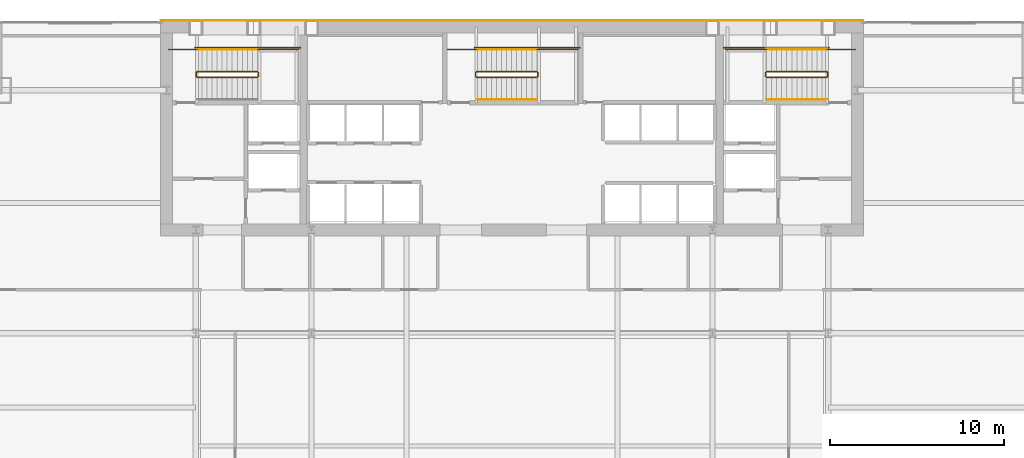
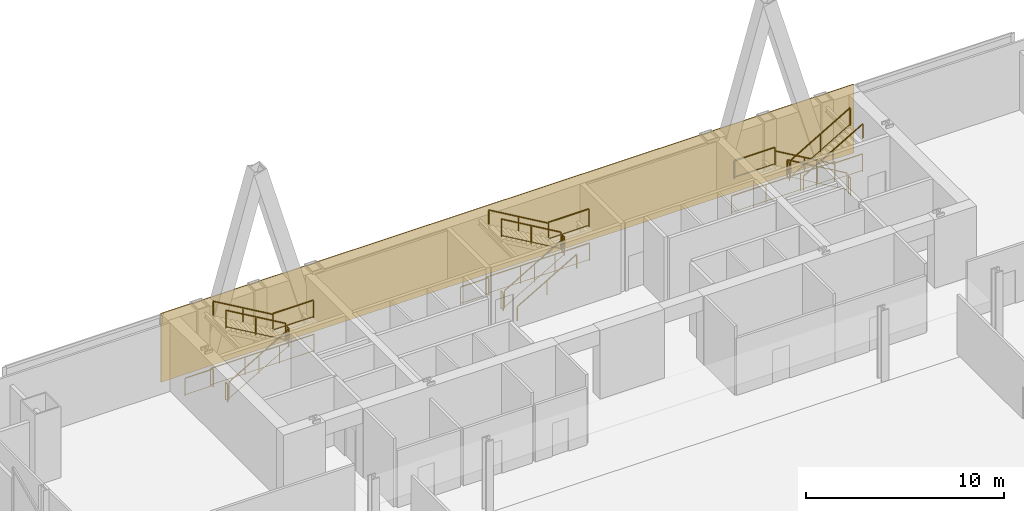
# One storey, part 32 of 32: 26 railings, 1 covering.
"""IFC4 building model written with IfcOpenShell, lengths in metres."""

from ifc_helpers import new_model, si_unit, direction, frame, origin, origin_2d, place, context, subcontext, project, spatial, polyline, rectangle, outline, extrude, material, layer, layer_set, type_object, element, save


model = new_model("IFC4")

# Units and contexts
model_context = context("Model", 3, precision=1e-05, world=origin(), true_north=direction((0.0, 1.0)))
body_context = subcontext(model_context, "Body", "Model", "MODEL_VIEW")
ifc_project = project(units=[si_unit("LENGTHUNIT", "METRE"), si_unit("AREAUNIT", "SQUARE_METRE"), si_unit("VOLUMEUNIT", "CUBIC_METRE"), si_unit("PLANEANGLEUNIT", "RADIAN"), si_unit("MASSUNIT", "GRAM", prefix="KILO")], contexts=[model_context])

# Site, building, storey
site_placement = place(None, origin())
site = spatial("IfcSite", under=ifc_project, at=site_placement, CompositionType="ELEMENT")
building_placement = place(site_placement, origin())
building = spatial("IfcBuilding", under=site, at=building_placement, Name="Khoronbel Lancet Exchange", CompositionType="ELEMENT")
storey_placement = place(building_placement, frame((0.0, 0.0, 106.60009765625)))
storey = spatial("IfcBuildingStorey", under=building, at=storey_placement, Name="L25", CompositionType="ELEMENT", Elevation=106.60009765625)

# Covering
ifc_material_1 = material(Name="Honed Egyptian Limestone & Bronze Rainscreen", Category="masonry")
ifc_layer = layer(ifc_material_1, 0.050048828125, Name="Honed Egyptian Limestone & Bronze Rainscreen")
ifc_layer_set = layer_set([ifc_layer], Name="Honed Egyptian Limestone & Bronze Rainscreen")
covering_type = type_object("IfcCoveringType", Name="COV-CLAD1", PredefinedType="CLADDING", material=ifc_layer_set)
covering_placement = place(storey_placement, origin())
element("IfcCovering", 1, at=covering_placement, inside=storey, type_object=covering_type, Name="Level L25 north rear-core stone and bronze rainscreen cladding", PredefinedType="CLADDING", context=body_context, shape_type="SweptSolid", body=[
    extrude(outline(polyline([(16.199951171875, 53.699951171875), (56.699951171875, 53.699951171875), (56.699951171875, 53.75), (16.199951171875, 53.75), (16.199951171875, 53.699951171875)])), origin(), (0.0, 0.0, 1.0), 4.239990234375),
])

# Railings
ifc_material_2 = material(Name="Painted Steel Balustrade", Category="steel")
railing_type_1 = type_object("IfcRailingType", Name="RL-STG110", PredefinedType="GUARDRAIL", material=ifc_material_2)
railing_1_placement = place(storey_placement, frame((18.300048828125, 50.449951171875, 0.169189453125)))
element("IfcRailing", 2, at=railing_1_placement, inside=storey, type_object=railing_type_1, Name="L25 ST1 stair guard 1", PredefinedType="GUARDRAIL", context=body_context, shape_type="SweptSolid", body=[
    extrude(rectangle(XDim=0.048095703125, YDim=0.048095703125, at=origin_2d()), frame((0.0, 0.0, 1.09619140625), z_axis=(0.863695377172, 0.0, 0.504014181796), x_axis=(0.0, 1.0, 0.0)), (0.0, 0.0, 1.0), 4.029296875),
    extrude(rectangle(XDim=0.02392578125, YDim=0.02392578125, at=origin_2d()), frame((0.0, 0.0, 0.080078125), z_axis=(0.863695377172, 0.0, 0.504014181796), x_axis=(0.0, 1.0, 0.0)), (0.0, 0.0, 1.0), 4.029296875),
    extrude(rectangle(XDim=0.0419921875, YDim=0.0419921875, at=origin_2d()), origin(), (0.0, 0.0, 1.0), 1.072021484375),
    extrude(rectangle(XDim=0.0419921875, YDim=0.0419921875, at=origin_2d()), frame((1.739990234375, 0.0, 1.015380859375)), (0.0, 0.0, 1.0), 1.072021484375),
    extrude(rectangle(XDim=0.0419921875, YDim=0.0419921875, at=origin_2d()), frame((3.47998046875, 0.0, 2.03076171875)), (0.0, 0.0, 1.0), 1.072021484375),
])
railing_2_placement = place(storey_placement, frame((21.830078125, 50.5, 2.199951171875)))
element("IfcRailing", 3, at=railing_2_placement, inside=storey, type_object=railing_type_1, Name="L25 ST1 stair guard 2", PredefinedType="GUARDRAIL", context=body_context, shape_type="SweptSolid", body=[
    extrude(rectangle(XDim=0.048095703125, YDim=0.048095703125, at=origin_2d()), frame((0.0, 0.0, 1.09619140625), z_axis=(0.0, 1.0, 0.0), x_axis=(-1.0, 0.0, 0.0)), (0.0, 0.0, 1.0), 0.219970703125),
    extrude(rectangle(XDim=0.02392578125, YDim=0.02392578125, at=origin_2d()), frame((0.0, 0.0, 0.080078125), z_axis=(0.0, 1.0, 0.0), x_axis=(-1.0, 0.0, 0.0)), (0.0, 0.0, 1.0), 0.219970703125),
    extrude(rectangle(XDim=0.0419921875, YDim=0.0419921875, at=origin_2d()), origin(), (0.0, 0.0, 1.0), 1.072021484375),
    extrude(rectangle(XDim=0.0419921875, YDim=0.0419921875, at=origin_2d()), frame((0.0, 0.219970703125, 0.0)), (0.0, 0.0, 1.0), 1.072021484375),
])
railing_3_placement = place(storey_placement, frame((21.780029296875, 52.050048828125, 2.199951171875)))
element("IfcRailing", 4, at=railing_3_placement, inside=storey, type_object=railing_type_1, Name="L25 ST1 stair guard 3", PredefinedType="GUARDRAIL", context=body_context, shape_type="SweptSolid", body=[
    extrude(rectangle(XDim=0.048095703125, YDim=0.048095703125, at=origin_2d()), frame((0.0, 0.0, 1.09619140625), z_axis=(1.0, 0.0, 0.0), x_axis=(0.0, 1.0, 0.0)), (0.0, 0.0, 1.0), 2.369873046875),
    extrude(rectangle(XDim=0.02392578125, YDim=0.02392578125, at=origin_2d()), frame((0.0, 0.0, 0.080078125), z_axis=(1.0, 0.0, 0.0), x_axis=(0.0, 1.0, 0.0)), (0.0, 0.0, 1.0), 2.369873046875),
    extrude(rectangle(XDim=0.0419921875, YDim=0.0419921875, at=origin_2d()), origin(), (0.0, 0.0, 1.0), 1.072021484375),
    extrude(rectangle(XDim=0.0419921875, YDim=0.0419921875, at=origin_2d()), frame((2.369873046875, 0.0, 0.0)), (0.0, 0.0, 1.0), 1.072021484375),
])
railing_4_placement = place(storey_placement, frame((21.780029296875, 50.77001953125, 2.369140625)))
element("IfcRailing", 5, at=railing_4_placement, inside=storey, type_object=railing_type_1, Name="L25 ST1 stair guard 4", PredefinedType="GUARDRAIL", context=body_context, shape_type="SweptSolid", body=[
    extrude(rectangle(XDim=0.048095703125, YDim=0.048095703125, at=origin_2d()), frame((0.0, 0.0, 1.09619140625), z_axis=(-0.863695377172, 0.0, 0.504014181796), x_axis=(0.0, -1.0, 0.0)), (0.0, 0.0, 1.0), 4.029296875),
    extrude(rectangle(XDim=0.02392578125, YDim=0.02392578125, at=origin_2d()), frame((0.0, 0.0, 0.080078125), z_axis=(-0.863695377172, 0.0, 0.504014181796), x_axis=(0.0, -1.0, 0.0)), (0.0, 0.0, 1.0), 4.029296875),
    extrude(rectangle(XDim=0.0419921875, YDim=0.0419921875, at=origin_2d()), origin(), (0.0, 0.0, 1.0), 1.072021484375),
    extrude(rectangle(XDim=0.0419921875, YDim=0.0419921875, at=origin_2d()), frame((-1.739990234375, 0.0, 1.015380859375)), (0.0, 0.0, 1.0), 1.072021484375),
    extrude(rectangle(XDim=0.0419921875, YDim=0.0419921875, at=origin_2d()), frame((-3.47998046875, 0.0, 2.03076171875)), (0.0, 0.0, 1.0), 1.072021484375),
])
railing_5_placement = place(storey_placement, frame((18.25, 50.5, 0.0)))
element("IfcRailing", 6, at=railing_5_placement, inside=storey, type_object=railing_type_1, Name="L25 ST1 stair guard 5", PredefinedType="GUARDRAIL", context=body_context, shape_type="SweptSolid", body=[
    extrude(rectangle(XDim=0.048095703125, YDim=0.048095703125, at=origin_2d()), frame((0.0, 0.0, 1.09619140625), z_axis=(0.0, 1.0, 0.0), x_axis=(-1.0, 0.0, 0.0)), (0.0, 0.0, 1.0), 0.219970703125),
    extrude(rectangle(XDim=0.02392578125, YDim=0.02392578125, at=origin_2d()), frame((0.0, 0.0, 0.080078125), z_axis=(0.0, 1.0, 0.0), x_axis=(-1.0, 0.0, 0.0)), (0.0, 0.0, 1.0), 0.219970703125),
    extrude(rectangle(XDim=0.0419921875, YDim=0.0419921875, at=origin_2d()), origin(), (0.0, 0.0, 1.0), 1.072021484375),
    extrude(rectangle(XDim=0.0419921875, YDim=0.0419921875, at=origin_2d()), frame((0.0, 0.219970703125, 0.0)), (0.0, 0.0, 1.0), 1.072021484375),
])
railing_6_placement = place(storey_placement, frame((16.64990234375, 52.050048828125, 0.0)))
element("IfcRailing", 7, at=railing_6_placement, inside=storey, type_object=railing_type_1, Name="L25 ST1 stair guard 6", PredefinedType="GUARDRAIL", context=body_context, shape_type="SweptSolid", body=[
    extrude(rectangle(XDim=0.048095703125, YDim=0.048095703125, at=origin_2d()), frame((0.0, 0.0, 1.09619140625), z_axis=(1.0, 0.0, 0.0), x_axis=(0.0, 1.0, 0.0)), (0.0, 0.0, 1.0), 1.650146484375),
    extrude(rectangle(XDim=0.02392578125, YDim=0.02392578125, at=origin_2d()), frame((0.0, 0.0, 0.080078125), z_axis=(1.0, 0.0, 0.0), x_axis=(0.0, 1.0, 0.0)), (0.0, 0.0, 1.0), 1.650146484375),
    extrude(rectangle(XDim=0.0419921875, YDim=0.0419921875, at=origin_2d()), origin(), (0.0, 0.0, 1.0), 1.072021484375),
    extrude(rectangle(XDim=0.0419921875, YDim=0.0419921875, at=origin_2d()), frame((1.650146484375, 0.0, 0.0)), (0.0, 0.0, 1.0), 1.072021484375),
])
railing_7_placement = place(storey_placement, frame((18.199951171875, 52.14990234375, 0.0)))
element("IfcRailing", 8, at=railing_7_placement, inside=storey, type_object=railing_type_1, Name="L25 ST1 stair guard 7", PredefinedType="GUARDRAIL", context=body_context, shape_type="SweptSolid", body=[
    extrude(rectangle(XDim=0.048095703125, YDim=0.048095703125, at=origin_2d()), frame((0.0, 0.0, 1.09619140625), z_axis=(1.0, 0.0, 0.0), x_axis=(0.0, 1.0, 0.0)), (0.0, 0.0, 1.0), 6.050048828125),
    extrude(rectangle(XDim=0.02392578125, YDim=0.02392578125, at=origin_2d()), frame((0.0, 0.0, 0.080078125), z_axis=(1.0, 0.0, 0.0), x_axis=(0.0, 1.0, 0.0)), (0.0, 0.0, 1.0), 6.050048828125),
    extrude(rectangle(XDim=0.0419921875, YDim=0.0419921875, at=origin_2d()), origin(), (0.0, 0.0, 1.0), 1.072021484375),
    extrude(rectangle(XDim=0.0419921875, YDim=0.0419921875, at=origin_2d()), frame((2.0166015625, 0.0, 0.0)), (0.0, 0.0, 1.0), 1.072021484375),
    extrude(rectangle(XDim=0.0419921875, YDim=0.0419921875, at=origin_2d()), frame((4.033447265625, 0.0, 0.0)), (0.0, 0.0, 1.0), 1.072021484375),
    extrude(rectangle(XDim=0.0419921875, YDim=0.0419921875, at=origin_2d()), frame((6.050048828125, 0.0, 0.0)), (0.0, 0.0, 1.0), 1.072021484375),
])
railing_8_placement = place(storey_placement, frame((54.60009765625, 50.77001953125, 0.169189453125)))
element("IfcRailing", 9, at=railing_8_placement, inside=storey, type_object=railing_type_1, Name="L25 ST2 stair guard 1", PredefinedType="GUARDRAIL", context=body_context, shape_type="SweptSolid", body=[
    extrude(rectangle(XDim=0.048095703125, YDim=0.048095703125, at=origin_2d()), frame((0.0, 0.0, 1.09619140625), z_axis=(-0.863695377172, 0.0, 0.504014181796), x_axis=(0.0, -1.0, 0.0)), (0.0, 0.0, 1.0), 4.029296875),
    extrude(rectangle(XDim=0.02392578125, YDim=0.02392578125, at=origin_2d()), frame((0.0, 0.0, 0.080078125), z_axis=(-0.863695377172, 0.0, 0.504014181796), x_axis=(0.0, -1.0, 0.0)), (0.0, 0.0, 1.0), 4.029296875),
    extrude(rectangle(XDim=0.0419921875, YDim=0.0419921875, at=origin_2d()), origin(), (0.0, 0.0, 1.0), 1.072021484375),
    extrude(rectangle(XDim=0.0419921875, YDim=0.0419921875, at=origin_2d()), frame((-1.739990234375, 0.0, 1.015380859375)), (0.0, 0.0, 1.0), 1.072021484375),
    extrude(rectangle(XDim=0.0419921875, YDim=0.0419921875, at=origin_2d()), frame((-3.47998046875, 0.0, 2.03076171875)), (0.0, 0.0, 1.0), 1.072021484375),
])
railing_9_placement = place(storey_placement, frame((51.070068359375, 50.719970703125, 2.199951171875)))
element("IfcRailing", 10, at=railing_9_placement, inside=storey, type_object=railing_type_1, Name="L25 ST2 stair guard 2", PredefinedType="GUARDRAIL", context=body_context, shape_type="SweptSolid", body=[
    extrude(rectangle(XDim=0.048095703125, YDim=0.048095703125, at=origin_2d()), frame((0.0, 0.0, 1.09619140625), z_axis=(0.0, -1.0, 0.0), x_axis=(1.0, 0.0, 0.0)), (0.0, 0.0, 1.0), 0.219970703125),
    extrude(rectangle(XDim=0.02392578125, YDim=0.02392578125, at=origin_2d()), frame((0.0, 0.0, 0.080078125), z_axis=(0.0, -1.0, 0.0), x_axis=(1.0, 0.0, 0.0)), (0.0, 0.0, 1.0), 0.219970703125),
    extrude(rectangle(XDim=0.0419921875, YDim=0.0419921875, at=origin_2d()), origin(), (0.0, 0.0, 1.0), 1.072021484375),
    extrude(rectangle(XDim=0.0419921875, YDim=0.0419921875, at=origin_2d()), frame((0.0, -0.219970703125, 0.0)), (0.0, 0.0, 1.0), 1.072021484375),
])
railing_10_placement = place(storey_placement, frame((51.1201171875, 52.050048828125, 2.199951171875)))
element("IfcRailing", 11, at=railing_10_placement, inside=storey, type_object=railing_type_1, Name="L25 ST2 stair guard 3", PredefinedType="GUARDRAIL", context=body_context, shape_type="SweptSolid", body=[
    extrude(rectangle(XDim=0.048095703125, YDim=0.048095703125, at=origin_2d()), frame((0.0, 0.0, 1.09619140625), z_axis=(-1.0, 0.0, 0.0), x_axis=(0.0, -1.0, 0.0)), (0.0, 0.0, 1.0), 2.3701171875),
    extrude(rectangle(XDim=0.02392578125, YDim=0.02392578125, at=origin_2d()), frame((0.0, 0.0, 0.080078125), z_axis=(-1.0, 0.0, 0.0), x_axis=(0.0, -1.0, 0.0)), (0.0, 0.0, 1.0), 2.3701171875),
    extrude(rectangle(XDim=0.0419921875, YDim=0.0419921875, at=origin_2d()), origin(), (0.0, 0.0, 1.0), 1.072021484375),
    extrude(rectangle(XDim=0.0419921875, YDim=0.0419921875, at=origin_2d()), frame((-2.3701171875, 0.0, 0.0)), (0.0, 0.0, 1.0), 1.072021484375),
])
railing_11_placement = place(storey_placement, frame((51.1201171875, 50.449951171875, 2.369140625)))
element("IfcRailing", 12, at=railing_11_placement, inside=storey, type_object=railing_type_1, Name="L25 ST2 stair guard 4", PredefinedType="GUARDRAIL", context=body_context, shape_type="SweptSolid", body=[
    extrude(rectangle(XDim=0.048095703125, YDim=0.048095703125, at=origin_2d()), frame((0.0, 0.0, 1.09619140625), z_axis=(0.863695377172, 0.0, 0.504014181796), x_axis=(0.0, 1.0, 0.0)), (0.0, 0.0, 1.0), 4.029296875),
    extrude(rectangle(XDim=0.02392578125, YDim=0.02392578125, at=origin_2d()), frame((0.0, 0.0, 0.080078125), z_axis=(0.863695377172, 0.0, 0.504014181796), x_axis=(0.0, 1.0, 0.0)), (0.0, 0.0, 1.0), 4.029296875),
    extrude(rectangle(XDim=0.0419921875, YDim=0.0419921875, at=origin_2d()), origin(), (0.0, 0.0, 1.0), 1.072021484375),
    extrude(rectangle(XDim=0.0419921875, YDim=0.0419921875, at=origin_2d()), frame((1.739990234375, 0.0, 1.015380859375)), (0.0, 0.0, 1.0), 1.072021484375),
    extrude(rectangle(XDim=0.0419921875, YDim=0.0419921875, at=origin_2d()), frame((3.47998046875, 0.0, 2.03076171875)), (0.0, 0.0, 1.0), 1.072021484375),
])
railing_12_placement = place(storey_placement, frame((54.64990234375, 50.719970703125, 0.0)))
element("IfcRailing", 13, at=railing_12_placement, inside=storey, type_object=railing_type_1, Name="L25 ST2 stair guard 5", PredefinedType="GUARDRAIL", context=body_context, shape_type="SweptSolid", body=[
    extrude(rectangle(XDim=0.048095703125, YDim=0.048095703125, at=origin_2d()), frame((0.0, 0.0, 1.09619140625), z_axis=(0.0, -1.0, 0.0), x_axis=(1.0, 0.0, 0.0)), (0.0, 0.0, 1.0), 0.219970703125),
    extrude(rectangle(XDim=0.02392578125, YDim=0.02392578125, at=origin_2d()), frame((0.0, 0.0, 0.080078125), z_axis=(0.0, -1.0, 0.0), x_axis=(1.0, 0.0, 0.0)), (0.0, 0.0, 1.0), 0.219970703125),
    extrude(rectangle(XDim=0.0419921875, YDim=0.0419921875, at=origin_2d()), origin(), (0.0, 0.0, 1.0), 1.072021484375),
    extrude(rectangle(XDim=0.0419921875, YDim=0.0419921875, at=origin_2d()), frame((0.0, -0.219970703125, 0.0)), (0.0, 0.0, 1.0), 1.072021484375),
])
railing_13_placement = place(storey_placement, frame((56.25, 52.050048828125, 0.0)))
element("IfcRailing", 14, at=railing_13_placement, inside=storey, type_object=railing_type_1, Name="L25 ST2 stair guard 6", PredefinedType="GUARDRAIL", context=body_context, shape_type="SweptSolid", body=[
    extrude(rectangle(XDim=0.048095703125, YDim=0.048095703125, at=origin_2d()), frame((0.0, 0.0, 1.09619140625), z_axis=(-1.0, 0.0, 0.0), x_axis=(0.0, -1.0, 0.0)), (0.0, 0.0, 1.0), 1.64990234375),
    extrude(rectangle(XDim=0.02392578125, YDim=0.02392578125, at=origin_2d()), frame((0.0, 0.0, 0.080078125), z_axis=(-1.0, 0.0, 0.0), x_axis=(0.0, -1.0, 0.0)), (0.0, 0.0, 1.0), 1.64990234375),
    extrude(rectangle(XDim=0.0419921875, YDim=0.0419921875, at=origin_2d()), origin(), (0.0, 0.0, 1.0), 1.072021484375),
    extrude(rectangle(XDim=0.0419921875, YDim=0.0419921875, at=origin_2d()), frame((-1.64990234375, 0.0, 0.0)), (0.0, 0.0, 1.0), 1.072021484375),
])
railing_14_placement = place(storey_placement, frame((54.699951171875, 52.14990234375, 0.0)))
element("IfcRailing", 15, at=railing_14_placement, inside=storey, type_object=railing_type_1, Name="L25 ST2 stair guard 7", PredefinedType="GUARDRAIL", context=body_context, shape_type="SweptSolid", body=[
    extrude(rectangle(XDim=0.048095703125, YDim=0.048095703125, at=origin_2d()), frame((0.0, 0.0, 1.09619140625), z_axis=(-1.0, 0.0, 0.0), x_axis=(0.0, -1.0, 0.0)), (0.0, 0.0, 1.0), 6.050048828125),
    extrude(rectangle(XDim=0.02392578125, YDim=0.02392578125, at=origin_2d()), frame((0.0, 0.0, 0.080078125), z_axis=(-1.0, 0.0, 0.0), x_axis=(0.0, -1.0, 0.0)), (0.0, 0.0, 1.0), 6.050048828125),
    extrude(rectangle(XDim=0.0419921875, YDim=0.0419921875, at=origin_2d()), origin(), (0.0, 0.0, 1.0), 1.072021484375),
    extrude(rectangle(XDim=0.0419921875, YDim=0.0419921875, at=origin_2d()), frame((-2.0166015625, 0.0, 0.0)), (0.0, 0.0, 1.0), 1.072021484375),
    extrude(rectangle(XDim=0.0419921875, YDim=0.0419921875, at=origin_2d()), frame((-4.033447265625, 0.0, 0.0)), (0.0, 0.0, 1.0), 1.072021484375),
    extrude(rectangle(XDim=0.0419921875, YDim=0.0419921875, at=origin_2d()), frame((-6.050048828125, 0.0, 0.0)), (0.0, 0.0, 1.0), 1.072021484375),
])
railing_15_placement = place(storey_placement, frame((34.39990234375, 50.449951171875, 0.169189453125)))
element("IfcRailing", 16, at=railing_15_placement, inside=storey, type_object=railing_type_1, Name="L25 ST3 stair guard 1", PredefinedType="GUARDRAIL", context=body_context, shape_type="SweptSolid", body=[
    extrude(rectangle(XDim=0.048095703125, YDim=0.048095703125, at=origin_2d()), frame((0.0, 0.0, 1.09619140625), z_axis=(0.863695377172, 0.0, 0.504014181796), x_axis=(0.0, 1.0, 0.0)), (0.0, 0.0, 1.0), 4.029296875),
    extrude(rectangle(XDim=0.02392578125, YDim=0.02392578125, at=origin_2d()), frame((0.0, 0.0, 0.080078125), z_axis=(0.863695377172, 0.0, 0.504014181796), x_axis=(0.0, 1.0, 0.0)), (0.0, 0.0, 1.0), 4.029296875),
    extrude(rectangle(XDim=0.0419921875, YDim=0.0419921875, at=origin_2d()), origin(), (0.0, 0.0, 1.0), 1.072021484375),
    extrude(rectangle(XDim=0.0419921875, YDim=0.0419921875, at=origin_2d()), frame((1.739990234375, 0.0, 1.015380859375)), (0.0, 0.0, 1.0), 1.072021484375),
    extrude(rectangle(XDim=0.0419921875, YDim=0.0419921875, at=origin_2d()), frame((3.47998046875, 0.0, 2.03076171875)), (0.0, 0.0, 1.0), 1.072021484375),
])
railing_16_placement = place(storey_placement, frame((37.929931640625, 50.5, 2.199951171875)))
element("IfcRailing", 17, at=railing_16_placement, inside=storey, type_object=railing_type_1, Name="L25 ST3 stair guard 2", PredefinedType="GUARDRAIL", context=body_context, shape_type="SweptSolid", body=[
    extrude(rectangle(XDim=0.048095703125, YDim=0.048095703125, at=origin_2d()), frame((0.0, 0.0, 1.09619140625), z_axis=(0.0, 1.0, 0.0), x_axis=(-1.0, 0.0, 0.0)), (0.0, 0.0, 1.0), 0.219970703125),
    extrude(rectangle(XDim=0.02392578125, YDim=0.02392578125, at=origin_2d()), frame((0.0, 0.0, 0.080078125), z_axis=(0.0, 1.0, 0.0), x_axis=(-1.0, 0.0, 0.0)), (0.0, 0.0, 1.0), 0.219970703125),
    extrude(rectangle(XDim=0.0419921875, YDim=0.0419921875, at=origin_2d()), origin(), (0.0, 0.0, 1.0), 1.072021484375),
    extrude(rectangle(XDim=0.0419921875, YDim=0.0419921875, at=origin_2d()), frame((0.0, 0.219970703125, 0.0)), (0.0, 0.0, 1.0), 1.072021484375),
])
railing_17_placement = place(storey_placement, frame((37.8798828125, 52.050048828125, 2.199951171875)))
element("IfcRailing", 18, at=railing_17_placement, inside=storey, type_object=railing_type_1, Name="L25 ST3 stair guard 3", PredefinedType="GUARDRAIL", context=body_context, shape_type="SweptSolid", body=[
    extrude(rectangle(XDim=0.048095703125, YDim=0.048095703125, at=origin_2d()), frame((0.0, 0.0, 1.09619140625), z_axis=(1.0, 0.0, 0.0), x_axis=(0.0, 1.0, 0.0)), (0.0, 0.0, 1.0), 2.3701171875),
    extrude(rectangle(XDim=0.02392578125, YDim=0.02392578125, at=origin_2d()), frame((0.0, 0.0, 0.080078125), z_axis=(1.0, 0.0, 0.0), x_axis=(0.0, 1.0, 0.0)), (0.0, 0.0, 1.0), 2.3701171875),
    extrude(rectangle(XDim=0.0419921875, YDim=0.0419921875, at=origin_2d()), origin(), (0.0, 0.0, 1.0), 1.072021484375),
    extrude(rectangle(XDim=0.0419921875, YDim=0.0419921875, at=origin_2d()), frame((2.3701171875, 0.0, 0.0)), (0.0, 0.0, 1.0), 1.072021484375),
])
railing_18_placement = place(storey_placement, frame((37.8798828125, 50.77001953125, 2.369140625)))
element("IfcRailing", 19, at=railing_18_placement, inside=storey, type_object=railing_type_1, Name="L25 ST3 stair guard 4", PredefinedType="GUARDRAIL", context=body_context, shape_type="SweptSolid", body=[
    extrude(rectangle(XDim=0.048095703125, YDim=0.048095703125, at=origin_2d()), frame((0.0, 0.0, 1.09619140625), z_axis=(-0.863695377172, 0.0, 0.504014181796), x_axis=(0.0, -1.0, 0.0)), (0.0, 0.0, 1.0), 4.029296875),
    extrude(rectangle(XDim=0.02392578125, YDim=0.02392578125, at=origin_2d()), frame((0.0, 0.0, 0.080078125), z_axis=(-0.863695377172, 0.0, 0.504014181796), x_axis=(0.0, -1.0, 0.0)), (0.0, 0.0, 1.0), 4.029296875),
    extrude(rectangle(XDim=0.0419921875, YDim=0.0419921875, at=origin_2d()), origin(), (0.0, 0.0, 1.0), 1.072021484375),
    extrude(rectangle(XDim=0.0419921875, YDim=0.0419921875, at=origin_2d()), frame((-1.739990234375, 0.0, 1.015380859375)), (0.0, 0.0, 1.0), 1.072021484375),
    extrude(rectangle(XDim=0.0419921875, YDim=0.0419921875, at=origin_2d()), frame((-3.47998046875, 0.0, 2.03076171875)), (0.0, 0.0, 1.0), 1.072021484375),
])
railing_19_placement = place(storey_placement, frame((34.35009765625, 50.5, 0.0)))
element("IfcRailing", 20, at=railing_19_placement, inside=storey, type_object=railing_type_1, Name="L25 ST3 stair guard 5", PredefinedType="GUARDRAIL", context=body_context, shape_type="SweptSolid", body=[
    extrude(rectangle(XDim=0.048095703125, YDim=0.048095703125, at=origin_2d()), frame((0.0, 0.0, 1.09619140625), z_axis=(0.0, 1.0, 0.0), x_axis=(-1.0, 0.0, 0.0)), (0.0, 0.0, 1.0), 0.219970703125),
    extrude(rectangle(XDim=0.02392578125, YDim=0.02392578125, at=origin_2d()), frame((0.0, 0.0, 0.080078125), z_axis=(0.0, 1.0, 0.0), x_axis=(-1.0, 0.0, 0.0)), (0.0, 0.0, 1.0), 0.219970703125),
    extrude(rectangle(XDim=0.0419921875, YDim=0.0419921875, at=origin_2d()), origin(), (0.0, 0.0, 1.0), 1.072021484375),
    extrude(rectangle(XDim=0.0419921875, YDim=0.0419921875, at=origin_2d()), frame((0.0, 0.219970703125, 0.0)), (0.0, 0.0, 1.0), 1.072021484375),
])
railing_20_placement = place(storey_placement, frame((32.75, 52.050048828125, 0.0)))
element("IfcRailing", 21, at=railing_20_placement, inside=storey, type_object=railing_type_1, Name="L25 ST3 stair guard 6", PredefinedType="GUARDRAIL", context=body_context, shape_type="SweptSolid", body=[
    extrude(rectangle(XDim=0.048095703125, YDim=0.048095703125, at=origin_2d()), frame((0.0, 0.0, 1.09619140625), z_axis=(1.0, 0.0, 0.0), x_axis=(0.0, 1.0, 0.0)), (0.0, 0.0, 1.0), 1.64990234375),
    extrude(rectangle(XDim=0.02392578125, YDim=0.02392578125, at=origin_2d()), frame((0.0, 0.0, 0.080078125), z_axis=(1.0, 0.0, 0.0), x_axis=(0.0, 1.0, 0.0)), (0.0, 0.0, 1.0), 1.64990234375),
    extrude(rectangle(XDim=0.0419921875, YDim=0.0419921875, at=origin_2d()), origin(), (0.0, 0.0, 1.0), 1.072021484375),
    extrude(rectangle(XDim=0.0419921875, YDim=0.0419921875, at=origin_2d()), frame((1.64990234375, 0.0, 0.0)), (0.0, 0.0, 1.0), 1.072021484375),
])
railing_21_placement = place(storey_placement, frame((34.300048828125, 52.14990234375, 0.0)))
element("IfcRailing", 22, at=railing_21_placement, inside=storey, type_object=railing_type_1, Name="L25 ST3 stair guard 7", PredefinedType="GUARDRAIL", context=body_context, shape_type="SweptSolid", body=[
    extrude(rectangle(XDim=0.048095703125, YDim=0.048095703125, at=origin_2d()), frame((0.0, 0.0, 1.09619140625), z_axis=(1.0, 0.0, 0.0), x_axis=(0.0, 1.0, 0.0)), (0.0, 0.0, 1.0), 6.050048828125),
    extrude(rectangle(XDim=0.02392578125, YDim=0.02392578125, at=origin_2d()), frame((0.0, 0.0, 0.080078125), z_axis=(1.0, 0.0, 0.0), x_axis=(0.0, 1.0, 0.0)), (0.0, 0.0, 1.0), 6.050048828125),
    extrude(rectangle(XDim=0.0419921875, YDim=0.0419921875, at=origin_2d()), origin(), (0.0, 0.0, 1.0), 1.072021484375),
    extrude(rectangle(XDim=0.0419921875, YDim=0.0419921875, at=origin_2d()), frame((2.0166015625, 0.0, 0.0)), (0.0, 0.0, 1.0), 1.072021484375),
    extrude(rectangle(XDim=0.0419921875, YDim=0.0419921875, at=origin_2d()), frame((4.033447265625, 0.0, 0.0)), (0.0, 0.0, 1.0), 1.072021484375),
    extrude(rectangle(XDim=0.0419921875, YDim=0.0419921875, at=origin_2d()), frame((6.050048828125, 0.0, 0.0)), (0.0, 0.0, 1.0), 1.072021484375),
])
ifc_material_3 = material(Name="Brushed Stainless Steel 316", Category="steel")
railing_type_2 = type_object("IfcRailingType", Name="RL-STH92", PredefinedType="HANDRAIL", material=ifc_material_3)
for number, where, name in (
    (23, (21.780029296875, 52.050048828125, 2.369140625), "L25 ST1 stair handrail 2"),
    (24, (54.60009765625, 52.050048828125, 0.169189453125), "L25 ST2 stair handrail 1"),
):
    element("IfcRailing", number, at=place(storey_placement, frame(where)), inside=storey, type_object=railing_type_2, Name=name, PredefinedType="HANDRAIL", context=body_context, shape_type="SweptSolid", body=[
        extrude(rectangle(XDim=0.048095703125, YDim=0.048095703125, at=origin_2d()), frame((0.0, 0.0, 0.8759765625), z_axis=(-0.863695377172, 0.0, 0.504014181796), x_axis=(0.0, -1.0, 0.0)), (0.0, 0.0, 1.0), 4.029296875),
        extrude(rectangle(XDim=0.0419921875, YDim=0.0419921875, at=origin_2d()), origin(), (0.0, 0.0, 1.0), 0.851806640625),
        extrude(rectangle(XDim=0.0419921875, YDim=0.0419921875, at=origin_2d()), frame((-1.739990234375, 0.0, 1.015380859375)), (0.0, 0.0, 1.0), 0.851806640625),
        extrude(rectangle(XDim=0.0419921875, YDim=0.0419921875, at=origin_2d()), frame((-3.47998046875, 0.0, 2.03076171875)), (0.0, 0.0, 1.0), 0.851806640625),
    ])
for number, where, name in (
    (25, (51.1201171875, 49.169921875, 2.369140625), "L25 ST2 stair handrail 2"),
    (26, (34.39990234375, 49.169921875, 0.169189453125), "L25 ST3 stair handrail 1"),
):
    element("IfcRailing", number, at=place(storey_placement, frame(where)), inside=storey, type_object=railing_type_2, Name=name, PredefinedType="HANDRAIL", context=body_context, shape_type="SweptSolid", body=[
        extrude(rectangle(XDim=0.048095703125, YDim=0.048095703125, at=origin_2d()), frame((0.0, 0.0, 0.8759765625), z_axis=(0.863695377172, 0.0, 0.504014181796), x_axis=(0.0, 1.0, 0.0)), (0.0, 0.0, 1.0), 4.029296875),
        extrude(rectangle(XDim=0.0419921875, YDim=0.0419921875, at=origin_2d()), origin(), (0.0, 0.0, 1.0), 0.851806640625),
        extrude(rectangle(XDim=0.0419921875, YDim=0.0419921875, at=origin_2d()), frame((1.739990234375, 0.0, 1.015380859375)), (0.0, 0.0, 1.0), 0.851806640625),
        extrude(rectangle(XDim=0.0419921875, YDim=0.0419921875, at=origin_2d()), frame((3.47998046875, 0.0, 2.03076171875)), (0.0, 0.0, 1.0), 0.851806640625),
    ])
railing_22_placement = place(storey_placement, frame((37.8798828125, 52.050048828125, 2.369140625)))
element("IfcRailing", 27, at=railing_22_placement, inside=storey, type_object=railing_type_2, Name="L25 ST3 stair handrail 2", PredefinedType="HANDRAIL", context=body_context, shape_type="SweptSolid", body=[
    extrude(rectangle(XDim=0.048095703125, YDim=0.048095703125, at=origin_2d()), frame((0.0, 0.0, 0.8759765625), z_axis=(-0.863695377172, 0.0, 0.504014181796), x_axis=(0.0, -1.0, 0.0)), (0.0, 0.0, 1.0), 4.029296875),
    extrude(rectangle(XDim=0.0419921875, YDim=0.0419921875, at=origin_2d()), origin(), (0.0, 0.0, 1.0), 0.851806640625),
    extrude(rectangle(XDim=0.0419921875, YDim=0.0419921875, at=origin_2d()), frame((-1.739990234375, 0.0, 1.015380859375)), (0.0, 0.0, 1.0), 0.851806640625),
    extrude(rectangle(XDim=0.0419921875, YDim=0.0419921875, at=origin_2d()), frame((-3.47998046875, 0.0, 2.03076171875)), (0.0, 0.0, 1.0), 0.851806640625),
])

save(model, "model.ifc")
